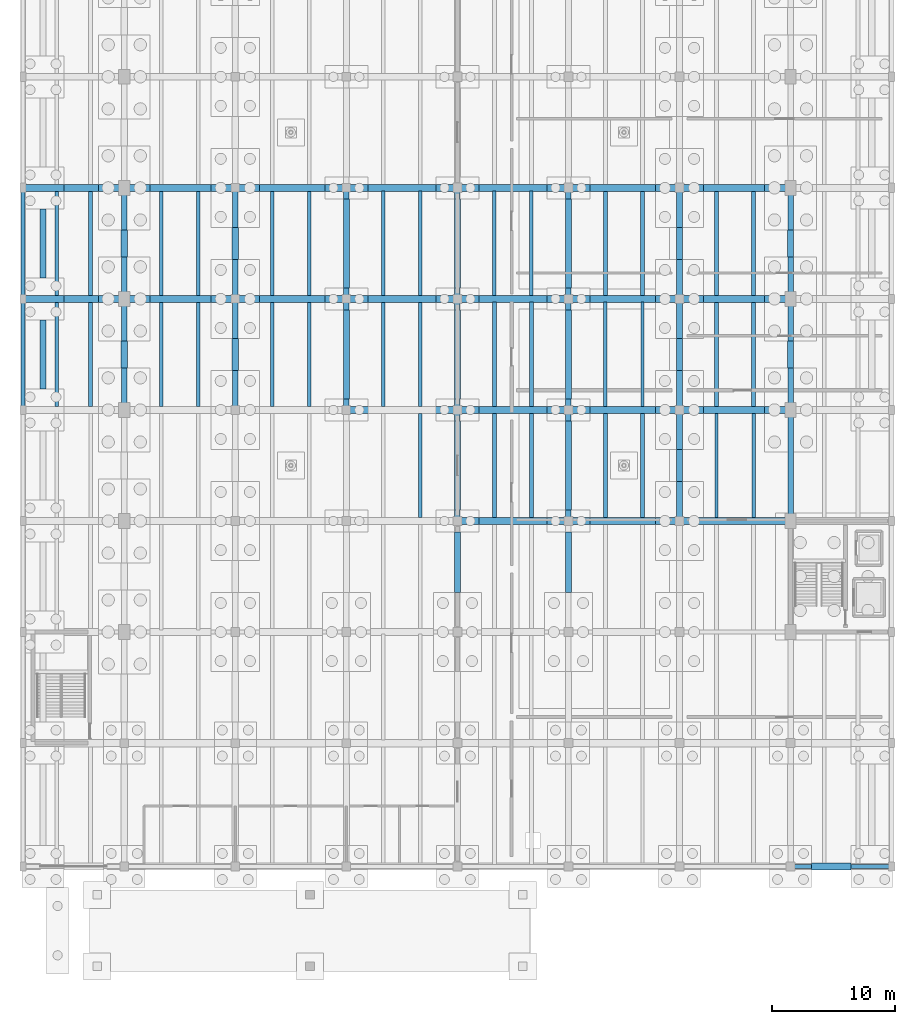
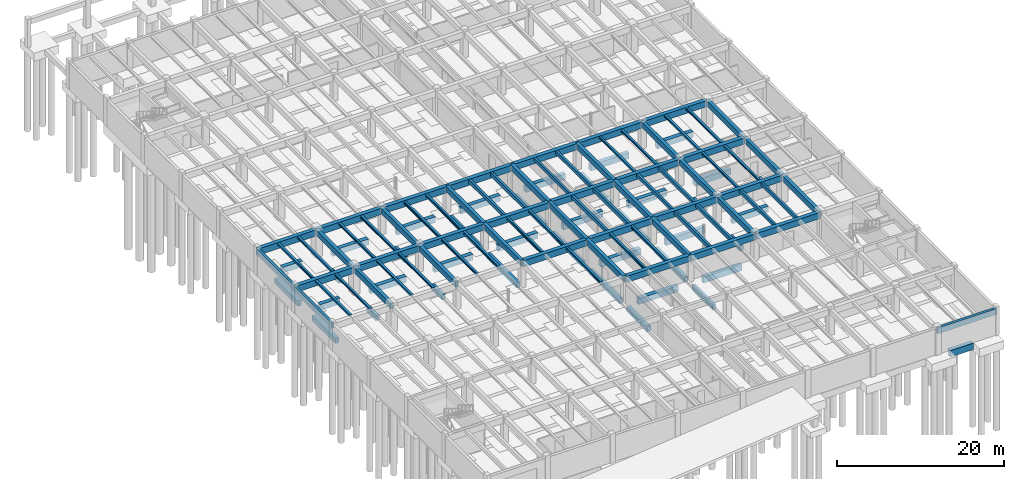
# One storey, part 13 of 23: 118 beams.
"""IFC4 building model written with IfcOpenShell, lengths in metres."""

from ifc_helpers import new_model, si_unit, direction, frame, origin, origin_2d, place, context, subcontext, project, spatial, rectangle, i_section, extrude, material, material_profile, profile_set, type_object, element, save


model = new_model("IFC4")

# Units and contexts
model_context = context("Model", 3, precision=1e-05, world=origin(), true_north=direction((0.0, 1.0)))
body_context = subcontext(model_context, "Body", "Model", "MODEL_VIEW")
ifc_project = project(units=[si_unit("LENGTHUNIT", "METRE"), si_unit("AREAUNIT", "SQUARE_METRE"), si_unit("VOLUMEUNIT", "CUBIC_METRE"), si_unit("PLANEANGLEUNIT", "RADIAN"), si_unit("MASSUNIT", "GRAM", prefix="KILO")], contexts=[model_context])

# Site, building, storey
site_placement = place(None, origin())
site = spatial("IfcSite", under=ifc_project, at=site_placement, CompositionType="ELEMENT")
building_placement = place(site_placement, origin())
building = spatial("IfcBuilding", under=site, at=building_placement, Name="Ornek Quay Market", CompositionType="ELEMENT")
storey_placement = place(building_placement, frame((0.0, 0.0, -4.199951171875)))
storey = spatial("IfcBuildingStorey", under=building, at=storey_placement, Name="B1", CompositionType="ELEMENT", Elevation=-4.199951171875)

# Beams
ifc_material_1 = material(Name="Concrete C35/45", Category="concrete")
ifc_material_profile_1 = material_profile(ifc_material_1, rectangle(XDim=0.449951171875, YDim=0.800048828125, at=origin_2d()), Name="RC 450x800", Category="concrete")
ifc_profile_set_1 = profile_set([ifc_material_profile_1], Name="Concrete C35/45")
beam_type_1 = type_object("IfcBeamType", Name="BM-B1-450x800", PredefinedType="BEAM", material=ifc_profile_set_1)
for number, where, z_axis, x_axis, name in (
    (1, (63.0, 47.0, 3.4599609375), (0.0, 1.0, 0.0), (-1.0, 0.0, 0.0), "Primary beam B-B1B-017"),
    (2, (63.0, 56.0, 3.4599609375), (0.0, 1.0, 0.0), (-1.0, 0.0, 0.0), "Primary beam B-B1B-018"),
    (3, (72.0, 47.0, 3.4599609375), (0.0, 1.0, 0.0), (-1.0, 0.0, 0.0), "Primary beam B-B1B-026"),
    (4, (72.0, 56.0, 3.4599609375), (0.0, 1.0, 0.0), (-1.0, 0.0, 0.0), "Primary beam B-B1B-027"),
    (5, (81.0, 47.0, 3.4599609375), (0.0, 1.0, 0.0), (-1.0, 0.0, 0.0), "Primary beam B-B1B-035"),
    (6, (81.0, 56.0, 3.4599609375), (0.0, 1.0, 0.0), (-1.0, 0.0, 0.0), "Primary beam B-B1B-036"),
    (7, (90.0, 38.0, 3.4599609375), (0.0, 1.0, 0.0), (-1.0, 0.0, 0.0), "Primary beam B-B1B-043"),
    (8, (90.0, 47.0, 3.4599609375), (0.0, 1.0, 0.0), (-1.0, 0.0, 0.0), "Primary beam B-B1B-044"),
    (9, (90.0, 56.0, 3.4599609375), (0.0, 1.0, 0.0), (-1.0, 0.0, 0.0), "Primary beam B-B1B-045"),
    (10, (99.0, 38.0, 3.4599609375), (0.0, 1.0, 0.0), (-1.0, 0.0, 0.0), "Primary beam B-B1B-052"),
    (11, (99.0, 47.0, 3.4599609375), (0.0, 1.0, 0.0), (-1.0, 0.0, 0.0), "Primary beam B-B1B-053"),
    (12, (99.0, 56.0, 3.4599609375), (0.0, 1.0, 0.0), (-1.0, 0.0, 0.0), "Primary beam B-B1B-054"),
    (13, (108.0, 38.0, 3.4599609375), (0.0, 1.0, 0.0), (-1.0, 0.0, 0.0), "Primary beam B-B1B-061"),
    (14, (108.0, 47.0, 3.4599609375), (0.0, 1.0, 0.0), (-1.0, 0.0, 0.0), "Primary beam B-B1B-062"),
    (15, (108.0, 56.0, 3.4599609375), (0.0, 1.0, 0.0), (-1.0, 0.0, 0.0), "Primary beam B-B1B-063"),
    (16, (117.0, 38.0, 3.4599609375), (0.0, 1.0, 0.0), (-1.0, 0.0, 0.0), "Primary beam B-B1B-070"),
    (17, (117.0, 47.0, 3.4599609375), (0.0, 1.0, 0.0), (-1.0, 0.0, 0.0), "Primary beam B-B1B-071"),
    (18, (117.0, 56.0, 3.4599609375), (0.0, 1.0, 0.0), (-1.0, 0.0, 0.0), "Primary beam B-B1B-072"),
):
    element("IfcBeam", number, at=place(storey_placement, frame(where, z_axis=z_axis, x_axis=x_axis)), inside=storey, type_object=beam_type_1, Name=name, PredefinedType="BEAM", context=body_context, shape_type="SweptSolid", body=[
        extrude(rectangle(XDim=0.449951171875, YDim=0.800048828125, at=origin_2d()), origin(), (0.0, 0.0, 1.0), 9.0),
    ])
ifc_material_2 = material(Name="Concrete C40/50", Category="concrete")
ifc_material_profile_2 = material_profile(ifc_material_2, rectangle(XDim=0.550048828125, YDim=0.89990234375, at=origin_2d()), Name="RC 550x900", Category="concrete")
ifc_profile_set_2 = profile_set([ifc_material_profile_2], Name="Concrete C40/50")
beam_type_2 = type_object("IfcBeamType", Name="BM-B1-550x900", PredefinedType="BEAM", material=ifc_profile_set_2)
for number, where, z_axis, x_axis, name in (
    (19, (90.0, 38.0, 3.409912109375), (1.0, 0.0, 0.0), (0.0, 1.0, 0.0), "Primary beam B-B1A-013"),
    (20, (99.0, 38.0, 3.409912109375), (1.0, 0.0, 0.0), (0.0, 1.0, 0.0), "Primary beam B-B1A-014"),
    (21, (108.0, 38.0, 3.409912109375), (1.0, 0.0, 0.0), (0.0, 1.0, 0.0), "Primary beam B-B1A-015"),
    (22, (81.0, 47.0, 3.409912109375), (1.0, 0.0, 0.0), (0.0, 1.0, 0.0), "Primary beam B-B1A-020"),
    (23, (90.0, 47.0, 3.409912109375), (1.0, 0.0, 0.0), (0.0, 1.0, 0.0), "Primary beam B-B1A-021"),
    (24, (99.0, 47.0, 3.409912109375), (1.0, 0.0, 0.0), (0.0, 1.0, 0.0), "Primary beam B-B1A-022"),
    (25, (108.0, 47.0, 3.409912109375), (1.0, 0.0, 0.0), (0.0, 1.0, 0.0), "Primary beam B-B1A-023"),
):
    element("IfcBeam", number, at=place(storey_placement, frame(where, z_axis=z_axis, x_axis=x_axis)), inside=storey, type_object=beam_type_2, Name=name, PredefinedType="BEAM", context=body_context, shape_type="SweptSolid", body=[
        extrude(rectangle(XDim=0.550048828125, YDim=0.89990234375, at=origin_2d()), origin(), (0.0, 0.0, 1.0), 9.0),
    ])
beam_1_placement = place(storey_placement, frame((54.800048828125, 56.0, 3.409912109375), z_axis=(1.0, 0.0, 0.0), x_axis=(0.0, 1.0, 0.0)))
element("IfcBeam", 26, at=beam_1_placement, inside=storey, type_object=beam_type_2, Name="Primary beam B-B1A-025", PredefinedType="BEAM", context=body_context, shape_type="SweptSolid", body=[
    extrude(rectangle(XDim=0.550048828125, YDim=0.89990234375, at=origin_2d()), origin(), (0.0, 0.0, 1.0), 8.199951171875),
])
for number, where, z_axis, x_axis, name in (
    (27, (63.0, 56.0, 3.409912109375), (1.0, 0.0, 0.0), (0.0, 1.0, 0.0), "Primary beam B-B1A-026"),
    (28, (72.0, 56.0, 3.409912109375), (1.0, 0.0, 0.0), (0.0, 1.0, 0.0), "Primary beam B-B1A-027"),
    (29, (81.0, 56.0, 3.409912109375), (1.0, 0.0, 0.0), (0.0, 1.0, 0.0), "Primary beam B-B1A-028"),
    (30, (90.0, 56.0, 3.409912109375), (1.0, 0.0, 0.0), (0.0, 1.0, 0.0), "Primary beam B-B1A-029"),
    (31, (99.0, 56.0, 3.409912109375), (1.0, 0.0, 0.0), (0.0, 1.0, 0.0), "Primary beam B-B1A-030"),
    (32, (108.0, 56.0, 3.409912109375), (1.0, 0.0, 0.0), (0.0, 1.0, 0.0), "Primary beam B-B1A-031"),
):
    element("IfcBeam", number, at=place(storey_placement, frame(where, z_axis=z_axis, x_axis=x_axis)), inside=storey, type_object=beam_type_2, Name=name, PredefinedType="BEAM", context=body_context, shape_type="SweptSolid", body=[
        extrude(rectangle(XDim=0.550048828125, YDim=0.89990234375, at=origin_2d()), origin(), (0.0, 0.0, 1.0), 9.0),
    ])
beam_2_placement = place(storey_placement, frame((54.800048828125, 65.0, 3.409912109375), z_axis=(1.0, 0.0, 0.0), x_axis=(0.0, 1.0, 0.0)))
element("IfcBeam", 33, at=beam_2_placement, inside=storey, type_object=beam_type_2, Name="Primary beam B-B1A-033", PredefinedType="BEAM", context=body_context, shape_type="SweptSolid", body=[
    extrude(rectangle(XDim=0.550048828125, YDim=0.89990234375, at=origin_2d()), origin(), (0.0, 0.0, 1.0), 8.199951171875),
])
for number, where, z_axis, x_axis, name in (
    (34, (63.0, 65.0, 3.409912109375), (1.0, 0.0, 0.0), (0.0, 1.0, 0.0), "Primary beam B-B1A-034"),
    (35, (72.0, 65.0, 3.409912109375), (1.0, 0.0, 0.0), (0.0, 1.0, 0.0), "Primary beam B-B1A-035"),
    (36, (81.0, 65.0, 3.409912109375), (1.0, 0.0, 0.0), (0.0, 1.0, 0.0), "Primary beam B-B1A-036"),
    (37, (90.0, 65.0, 3.409912109375), (1.0, 0.0, 0.0), (0.0, 1.0, 0.0), "Primary beam B-B1A-037"),
    (38, (99.0, 65.0, 3.409912109375), (1.0, 0.0, 0.0), (0.0, 1.0, 0.0), "Primary beam B-B1A-038"),
    (39, (108.0, 65.0, 3.409912109375), (1.0, 0.0, 0.0), (0.0, 1.0, 0.0), "Primary beam B-B1A-039"),
):
    element("IfcBeam", number, at=place(storey_placement, frame(where, z_axis=z_axis, x_axis=x_axis)), inside=storey, type_object=beam_type_2, Name=name, PredefinedType="BEAM", context=body_context, shape_type="SweptSolid", body=[
        extrude(rectangle(XDim=0.550048828125, YDim=0.89990234375, at=origin_2d()), origin(), (0.0, 0.0, 1.0), 9.0),
    ])
ifc_material_profile_3 = material_profile(ifc_material_1, rectangle(XDim=0.5, YDim=0.75, at=origin_2d()), Name="RC 500x750", Category="concrete")
ifc_profile_set_3 = profile_set([ifc_material_profile_3], Name="Concrete C35/45")
beam_type_3 = type_object("IfcBeamType", Name="BM-GB-500x750", PredefinedType="BEAM", material=ifc_profile_set_3)
for number, where, z_axis, x_axis, name in (
    (40, (56.419921875, 48.699951171875, -0.375), (0.0, 1.0, 0.0), (-1.0, 0.0, 0.0), "Ground tie beam GB-214"),
    (41, (56.419921875, 57.699951171875, -0.375), (0.0, 1.0, 0.0), (-1.0, 0.0, 0.0), "Ground tie beam GB-215"),
):
    element("IfcBeam", number, at=place(storey_placement, frame(where, z_axis=z_axis, x_axis=x_axis)), inside=storey, type_object=beam_type_3, Name=name, PredefinedType="BEAM", context=body_context, shape_type="SweptSolid", body=[
        extrude(rectangle(XDim=0.5, YDim=0.75, at=origin_2d()), origin(), (0.0, 0.0, 1.0), 5.60009765625),
    ])
for number, where, z_axis, x_axis, name in (
    (42, (63.0, 50.39990234375, -0.375), (0.0, 1.0, 0.0), (-1.0, 0.0, 0.0), "Ground tie beam GB-223"),
    (43, (63.0, 59.39990234375, -0.375), (0.0, 1.0, 0.0), (-1.0, 0.0, 0.0), "Ground tie beam GB-224"),
):
    element("IfcBeam", number, at=place(storey_placement, frame(where, z_axis=z_axis, x_axis=x_axis)), inside=storey, type_object=beam_type_3, Name=name, PredefinedType="BEAM", context=body_context, shape_type="SweptSolid", body=[
        extrude(rectangle(XDim=0.5, YDim=0.75, at=origin_2d()), origin(), (0.0, 0.0, 1.0), 2.2001953125),
    ])
for number, where, z_axis, x_axis, name in (
    (44, (72.0, 50.199951171875, -0.375), (0.0, 1.0, 0.0), (-1.0, 0.0, 0.0), "Ground tie beam GB-232"),
    (45, (72.0, 59.199951171875, -0.375), (0.0, 1.0, 0.0), (-1.0, 0.0, 0.0), "Ground tie beam GB-233"),
):
    element("IfcBeam", number, at=place(storey_placement, frame(where, z_axis=z_axis, x_axis=x_axis)), inside=storey, type_object=beam_type_3, Name=name, PredefinedType="BEAM", context=body_context, shape_type="SweptSolid", body=[
        extrude(rectangle(XDim=0.5, YDim=0.75, at=origin_2d()), origin(), (0.0, 0.0, 1.0), 2.60009765625),
    ])
for number, where, z_axis, x_axis, name in (
    (46, (81.0, 47.89990234375, -0.375), (0.0, 1.0, 0.0), (-1.0, 0.0, 0.0), "Ground tie beam GB-244"),
    (47, (81.0, 56.89990234375, -0.375), (0.0, 1.0, 0.0), (-1.0, 0.0, 0.0), "Ground tie beam GB-245"),
):
    element("IfcBeam", number, at=place(storey_placement, frame(where, z_axis=z_axis, x_axis=x_axis)), inside=storey, type_object=beam_type_3, Name=name, PredefinedType="BEAM", context=body_context, shape_type="SweptSolid", body=[
        extrude(rectangle(XDim=0.5, YDim=0.75, at=origin_2d()), origin(), (0.0, 0.0, 1.0), 7.2001953125),
    ])
beam_3_placement = place(storey_placement, frame((90.0, 32.199951171875, -0.375), z_axis=(0.0, 1.0, 0.0), x_axis=(-1.0, 0.0, 0.0)))
element("IfcBeam", 48, at=beam_3_placement, inside=storey, type_object=beam_type_3, Name="Ground tie beam GB-254", PredefinedType="BEAM", context=body_context, shape_type="SweptSolid", body=[
    extrude(rectangle(XDim=0.5, YDim=0.75, at=origin_2d()), origin(), (0.0, 0.0, 1.0), 4.900146484375),
])
for number, where, z_axis, x_axis, name in (
    (49, (90.0, 38.89990234375, -0.375), (0.0, 1.0, 0.0), (-1.0, 0.0, 0.0), "Ground tie beam GB-255"),
    (50, (90.0, 47.89990234375, -0.375), (0.0, 1.0, 0.0), (-1.0, 0.0, 0.0), "Ground tie beam GB-256"),
    (51, (90.0, 56.89990234375, -0.375), (0.0, 1.0, 0.0), (-1.0, 0.0, 0.0), "Ground tie beam GB-257"),
):
    element("IfcBeam", number, at=place(storey_placement, frame(where, z_axis=z_axis, x_axis=x_axis)), inside=storey, type_object=beam_type_3, Name=name, PredefinedType="BEAM", context=body_context, shape_type="SweptSolid", body=[
        extrude(rectangle(XDim=0.5, YDim=0.75, at=origin_2d()), origin(), (0.0, 0.0, 1.0), 7.2001953125),
    ])
beam_4_placement = place(storey_placement, frame((99.0, 32.199951171875, -0.375), z_axis=(0.0, 1.0, 0.0), x_axis=(-1.0, 0.0, 0.0)))
element("IfcBeam", 52, at=beam_4_placement, inside=storey, type_object=beam_type_3, Name="Ground tie beam GB-266", PredefinedType="BEAM", context=body_context, shape_type="SweptSolid", body=[
    extrude(rectangle(XDim=0.5, YDim=0.75, at=origin_2d()), origin(), (0.0, 0.0, 1.0), 4.900146484375),
])
for number, where, z_axis, x_axis, name in (
    (53, (99.0, 38.89990234375, -0.375), (0.0, 1.0, 0.0), (-1.0, 0.0, 0.0), "Ground tie beam GB-267"),
    (54, (99.0, 47.89990234375, -0.375), (0.0, 1.0, 0.0), (-1.0, 0.0, 0.0), "Ground tie beam GB-268"),
    (55, (99.0, 56.89990234375, -0.375), (0.0, 1.0, 0.0), (-1.0, 0.0, 0.0), "Ground tie beam GB-269"),
):
    element("IfcBeam", number, at=place(storey_placement, frame(where, z_axis=z_axis, x_axis=x_axis)), inside=storey, type_object=beam_type_3, Name=name, PredefinedType="BEAM", context=body_context, shape_type="SweptSolid", body=[
        extrude(rectangle(XDim=0.5, YDim=0.75, at=origin_2d()), origin(), (0.0, 0.0, 1.0), 7.2001953125),
    ])
for number, where, z_axis, x_axis, name in (
    (56, (108.0, 41.199951171875, -0.375), (0.0, 1.0, 0.0), (-1.0, 0.0, 0.0), "Ground tie beam GB-279"),
    (57, (108.0, 50.199951171875, -0.375), (0.0, 1.0, 0.0), (-1.0, 0.0, 0.0), "Ground tie beam GB-280"),
    (58, (108.0, 59.199951171875, -0.375), (0.0, 1.0, 0.0), (-1.0, 0.0, 0.0), "Ground tie beam GB-281"),
):
    element("IfcBeam", number, at=place(storey_placement, frame(where, z_axis=z_axis, x_axis=x_axis)), inside=storey, type_object=beam_type_3, Name=name, PredefinedType="BEAM", context=body_context, shape_type="SweptSolid", body=[
        extrude(rectangle(XDim=0.5, YDim=0.75, at=origin_2d()), origin(), (0.0, 0.0, 1.0), 2.60009765625),
    ])
for number, where, z_axis, x_axis, name in (
    (59, (117.0, 50.39990234375, -0.375), (0.0, 1.0, 0.0), (-1.0, 0.0, 0.0), "Ground tie beam GB-289"),
    (60, (117.0, 59.39990234375, -0.375), (0.0, 1.0, 0.0), (-1.0, 0.0, 0.0), "Ground tie beam GB-290"),
):
    element("IfcBeam", number, at=place(storey_placement, frame(where, z_axis=z_axis, x_axis=x_axis)), inside=storey, type_object=beam_type_3, Name=name, PredefinedType="BEAM", context=body_context, shape_type="SweptSolid", body=[
        extrude(rectangle(XDim=0.5, YDim=0.75, at=origin_2d()), origin(), (0.0, 0.0, 1.0), 2.2001953125),
    ])
ifc_material_profile_4 = material_profile(ifc_material_1, rectangle(XDim=0.550048828125, YDim=0.85009765625, at=origin_2d()), Name="RC 550x850", Category="concrete")
ifc_profile_set_4 = profile_set([ifc_material_profile_4], Name="Concrete C35/45")
beam_type_4 = type_object("IfcBeamType", Name="BM-GB-550x850", PredefinedType="BEAM", material=ifc_profile_set_4)
beam_5_placement = place(storey_placement, frame((91.75, 38.0, -0.425048828125), z_axis=(1.0, 0.0, 0.0), x_axis=(0.0, 1.0, 0.0)))
element("IfcBeam", 61, at=beam_5_placement, inside=storey, type_object=beam_type_4, Name="Ground tie beam GB-140", PredefinedType="BEAM", context=body_context, shape_type="SweptSolid", body=[
    extrude(rectangle(XDim=0.550048828125, YDim=0.85009765625, at=origin_2d()), origin(), (0.0, 0.0, 1.0), 5.5),
])
beam_6_placement = place(storey_placement, frame((100.75, 38.0, -0.425048828125), z_axis=(1.0, 0.0, 0.0), x_axis=(0.0, 1.0, 0.0)))
element("IfcBeam", 62, at=beam_6_placement, inside=storey, type_object=beam_type_4, Name="Ground tie beam GB-141", PredefinedType="BEAM", context=body_context, shape_type="SweptSolid", body=[
    extrude(rectangle(XDim=0.550048828125, YDim=0.85009765625, at=origin_2d()), origin(), (0.0, 0.0, 1.0), 5.300048828125),
])
beam_7_placement = place(storey_placement, frame((91.75, 47.0, -0.425048828125), z_axis=(1.0, 0.0, 0.0), x_axis=(0.0, 1.0, 0.0)))
element("IfcBeam", 63, at=beam_7_placement, inside=storey, type_object=beam_type_4, Name="Ground tie beam GB-146", PredefinedType="BEAM", context=body_context, shape_type="SweptSolid", body=[
    extrude(rectangle(XDim=0.550048828125, YDim=0.85009765625, at=origin_2d()), origin(), (0.0, 0.0, 1.0), 5.5),
])
beam_8_placement = place(storey_placement, frame((100.75, 47.0, -0.425048828125), z_axis=(1.0, 0.0, 0.0), x_axis=(0.0, 1.0, 0.0)))
element("IfcBeam", 64, at=beam_8_placement, inside=storey, type_object=beam_type_4, Name="Ground tie beam GB-147", PredefinedType="BEAM", context=body_context, shape_type="SweptSolid", body=[
    extrude(rectangle(XDim=0.550048828125, YDim=0.85009765625, at=origin_2d()), origin(), (0.0, 0.0, 1.0), 5.300048828125),
])
beam_9_placement = place(storey_placement, frame((109.949951171875, 47.0, -0.425048828125), z_axis=(1.0, 0.0, 0.0), x_axis=(0.0, 1.0, 0.0)))
element("IfcBeam", 65, at=beam_9_placement, inside=storey, type_object=beam_type_4, Name="Ground tie beam GB-148", PredefinedType="BEAM", context=body_context, shape_type="SweptSolid", body=[
    extrude(rectangle(XDim=0.550048828125, YDim=0.85009765625, at=origin_2d()), origin(), (0.0, 0.0, 1.0), 4.949951171875),
])
beam_10_placement = place(storey_placement, frame((58.1201171875, 56.0, -0.425048828125), z_axis=(1.0, 0.0, 0.0), x_axis=(0.0, 1.0, 0.0)))
element("IfcBeam", 66, at=beam_10_placement, inside=storey, type_object=beam_type_4, Name="Ground tie beam GB-150", PredefinedType="BEAM", context=body_context, shape_type="SweptSolid", body=[
    extrude(rectangle(XDim=0.550048828125, YDim=0.85009765625, at=origin_2d()), origin(), (0.0, 0.0, 1.0), 2.77978515625),
])
beam_11_placement = place(storey_placement, frame((65.10009765625, 56.0, -0.425048828125), z_axis=(1.0, 0.0, 0.0), x_axis=(0.0, 1.0, 0.0)))
element("IfcBeam", 67, at=beam_11_placement, inside=storey, type_object=beam_type_4, Name="Ground tie beam GB-151", PredefinedType="BEAM", context=body_context, shape_type="SweptSolid", body=[
    extrude(rectangle(XDim=0.550048828125, YDim=0.85009765625, at=origin_2d()), origin(), (0.0, 0.0, 1.0), 4.949951171875),
])
beam_12_placement = place(storey_placement, frame((73.949951171875, 56.0, -0.425048828125), z_axis=(1.0, 0.0, 0.0), x_axis=(0.0, 1.0, 0.0)))
element("IfcBeam", 68, at=beam_12_placement, inside=storey, type_object=beam_type_4, Name="Ground tie beam GB-152", PredefinedType="BEAM", context=body_context, shape_type="SweptSolid", body=[
    extrude(rectangle(XDim=0.550048828125, YDim=0.85009765625, at=origin_2d()), origin(), (0.0, 0.0, 1.0), 5.300048828125),
])
for number, where, z_axis, x_axis, name in (
    (69, (82.75, 56.0, -0.425048828125), (1.0, 0.0, 0.0), (0.0, 1.0, 0.0), "Ground tie beam GB-153"),
    (70, (91.75, 56.0, -0.425048828125), (1.0, 0.0, 0.0), (0.0, 1.0, 0.0), "Ground tie beam GB-154"),
):
    element("IfcBeam", number, at=place(storey_placement, frame(where, z_axis=z_axis, x_axis=x_axis)), inside=storey, type_object=beam_type_4, Name=name, PredefinedType="BEAM", context=body_context, shape_type="SweptSolid", body=[
        extrude(rectangle(XDim=0.550048828125, YDim=0.85009765625, at=origin_2d()), origin(), (0.0, 0.0, 1.0), 5.5),
    ])
beam_13_placement = place(storey_placement, frame((100.75, 56.0, -0.425048828125), z_axis=(1.0, 0.0, 0.0), x_axis=(0.0, 1.0, 0.0)))
element("IfcBeam", 71, at=beam_13_placement, inside=storey, type_object=beam_type_4, Name="Ground tie beam GB-155", PredefinedType="BEAM", context=body_context, shape_type="SweptSolid", body=[
    extrude(rectangle(XDim=0.550048828125, YDim=0.85009765625, at=origin_2d()), origin(), (0.0, 0.0, 1.0), 5.300048828125),
])
beam_14_placement = place(storey_placement, frame((109.949951171875, 56.0, -0.425048828125), z_axis=(1.0, 0.0, 0.0), x_axis=(0.0, 1.0, 0.0)))
element("IfcBeam", 72, at=beam_14_placement, inside=storey, type_object=beam_type_4, Name="Ground tie beam GB-156", PredefinedType="BEAM", context=body_context, shape_type="SweptSolid", body=[
    extrude(rectangle(XDim=0.550048828125, YDim=0.85009765625, at=origin_2d()), origin(), (0.0, 0.0, 1.0), 4.949951171875),
])
beam_15_placement = place(storey_placement, frame((58.1201171875, 65.0, -0.425048828125), z_axis=(1.0, 0.0, 0.0), x_axis=(0.0, 1.0, 0.0)))
element("IfcBeam", 73, at=beam_15_placement, inside=storey, type_object=beam_type_4, Name="Ground tie beam GB-158", PredefinedType="BEAM", context=body_context, shape_type="SweptSolid", body=[
    extrude(rectangle(XDim=0.550048828125, YDim=0.85009765625, at=origin_2d()), origin(), (0.0, 0.0, 1.0), 2.77978515625),
])
beam_16_placement = place(storey_placement, frame((65.10009765625, 65.0, -0.425048828125), z_axis=(1.0, 0.0, 0.0), x_axis=(0.0, 1.0, 0.0)))
element("IfcBeam", 74, at=beam_16_placement, inside=storey, type_object=beam_type_4, Name="Ground tie beam GB-159", PredefinedType="BEAM", context=body_context, shape_type="SweptSolid", body=[
    extrude(rectangle(XDim=0.550048828125, YDim=0.85009765625, at=origin_2d()), origin(), (0.0, 0.0, 1.0), 4.949951171875),
])
beam_17_placement = place(storey_placement, frame((73.949951171875, 65.0, -0.425048828125), z_axis=(1.0, 0.0, 0.0), x_axis=(0.0, 1.0, 0.0)))
element("IfcBeam", 75, at=beam_17_placement, inside=storey, type_object=beam_type_4, Name="Ground tie beam GB-160", PredefinedType="BEAM", context=body_context, shape_type="SweptSolid", body=[
    extrude(rectangle(XDim=0.550048828125, YDim=0.85009765625, at=origin_2d()), origin(), (0.0, 0.0, 1.0), 5.300048828125),
])
for number, where, z_axis, x_axis, name in (
    (76, (82.75, 65.0, -0.425048828125), (1.0, 0.0, 0.0), (0.0, 1.0, 0.0), "Ground tie beam GB-161"),
    (77, (91.75, 65.0, -0.425048828125), (1.0, 0.0, 0.0), (0.0, 1.0, 0.0), "Ground tie beam GB-162"),
):
    element("IfcBeam", number, at=place(storey_placement, frame(where, z_axis=z_axis, x_axis=x_axis)), inside=storey, type_object=beam_type_4, Name=name, PredefinedType="BEAM", context=body_context, shape_type="SweptSolid", body=[
        extrude(rectangle(XDim=0.550048828125, YDim=0.85009765625, at=origin_2d()), origin(), (0.0, 0.0, 1.0), 5.5),
    ])
beam_18_placement = place(storey_placement, frame((100.75, 65.0, -0.425048828125), z_axis=(1.0, 0.0, 0.0), x_axis=(0.0, 1.0, 0.0)))
element("IfcBeam", 78, at=beam_18_placement, inside=storey, type_object=beam_type_4, Name="Ground tie beam GB-163", PredefinedType="BEAM", context=body_context, shape_type="SweptSolid", body=[
    extrude(rectangle(XDim=0.550048828125, YDim=0.85009765625, at=origin_2d()), origin(), (0.0, 0.0, 1.0), 5.300048828125),
])
beam_19_placement = place(storey_placement, frame((109.949951171875, 65.0, -0.425048828125), z_axis=(1.0, 0.0, 0.0), x_axis=(0.0, 1.0, 0.0)))
element("IfcBeam", 79, at=beam_19_placement, inside=storey, type_object=beam_type_4, Name="Ground tie beam GB-164", PredefinedType="BEAM", context=body_context, shape_type="SweptSolid", body=[
    extrude(rectangle(XDim=0.550048828125, YDim=0.85009765625, at=origin_2d()), origin(), (0.0, 0.0, 1.0), 4.949951171875),
])
ifc_material_profile_5 = material_profile(ifc_material_1, rectangle(XDim=0.60009765625, YDim=0.949951171875, at=origin_2d()), Name="RC 600x950", Category="concrete")
ifc_profile_set_5 = profile_set([ifc_material_profile_5], Name="Concrete C35/45")
beam_type_5 = type_object("IfcBeamType", Name="BM-GB-600x950", PredefinedType="BEAM", material=ifc_profile_set_5)
beam_20_placement = place(storey_placement, frame((118.699951171875, 10.0, -0.47509765625), z_axis=(1.0, 0.0, 0.0), x_axis=(0.0, 1.0, 0.0)))
element("IfcBeam", 80, at=beam_20_placement, inside=storey, type_object=beam_type_5, Name="Ground tie beam GB-121", PredefinedType="BEAM", context=body_context, shape_type="SweptSolid", body=[
    extrude(rectangle(XDim=0.60009765625, YDim=0.949951171875, at=origin_2d()), origin(), (0.0, 0.0, 1.0), 3.179931640625),
])
ifc_material_profile_6 = material_profile(ifc_material_1, rectangle(XDim=0.280029296875, YDim=0.5, at=origin_2d()), Name="RC 280x500", Category="concrete")
ifc_profile_set_6 = profile_set([ifc_material_profile_6], Name="Concrete C35/45")
beam_type_6 = type_object("IfcBeamType", Name="BM-SEC-280x500", PredefinedType="JOIST", material=ifc_profile_set_6)
for number, where, z_axis, x_axis, name in (
    (81, (93.0, 56.26708984375, 3.60986328125), (0.0, 1.0, 0.0), (-1.0, 0.0, 0.0), "Secondary joist B-SC2-011"),
    (82, (96.0, 56.26708984375, 3.60986328125), (0.0, 1.0, 0.0), (-1.0, 0.0, 0.0), "Secondary joist B-SC2-012"),
    (83, (102.0, 47.26708984375, 3.60986328125), (0.0, 1.0, 0.0), (-1.0, 0.0, 0.0), "Secondary joist B-SC2-013"),
    (84, (105.0, 47.26708984375, 3.60986328125), (0.0, 1.0, 0.0), (-1.0, 0.0, 0.0), "Secondary joist B-SC2-014"),
    (85, (111.0, 38.26708984375, 3.60986328125), (0.0, 1.0, 0.0), (-1.0, 0.0, 0.0), "Secondary joist B-SC2-017"),
    (86, (114.0, 38.26708984375, 3.60986328125), (0.0, 1.0, 0.0), (-1.0, 0.0, 0.0), "Secondary joist B-SC2-018"),
):
    element("IfcBeam", number, at=place(storey_placement, frame(where, z_axis=z_axis, x_axis=x_axis)), inside=storey, type_object=beam_type_6, Name=name, PredefinedType="JOIST", context=body_context, shape_type="SweptSolid", body=[
        extrude(rectangle(XDim=0.280029296875, YDim=0.5, at=origin_2d()), origin(), (0.0, 0.0, 1.0), 8.4658203125),
    ])
ifc_material_profile_7 = material_profile(ifc_material_1, rectangle(XDim=0.300048828125, YDim=0.550048828125, at=origin_2d()), Name="RC 300x550", Category="concrete")
ifc_profile_set_7 = profile_set([ifc_material_profile_7], Name="Concrete C35/45")
beam_type_7 = type_object("IfcBeamType", Name="BM-SEC-300x550", PredefinedType="JOIST", material=ifc_profile_set_7)
for number, where, z_axis, x_axis, name in (
    (87, (84.0, 56.26708984375, 3.5849609375), (0.0, 1.0, 0.0), (-1.0, 0.0, 0.0), "Secondary joist B-SC1-017"),
    (88, (87.0, 56.26708984375, 3.5849609375), (0.0, 1.0, 0.0), (-1.0, 0.0, 0.0), "Secondary joist B-SC1-018"),
    (89, (93.0, 47.26708984375, 3.5849609375), (0.0, 1.0, 0.0), (-1.0, 0.0, 0.0), "Secondary joist B-SC1-019"),
    (90, (96.0, 47.26708984375, 3.5849609375), (0.0, 1.0, 0.0), (-1.0, 0.0, 0.0), "Secondary joist B-SC1-020"),
    (91, (102.0, 38.26708984375, 3.5849609375), (0.0, 1.0, 0.0), (-1.0, 0.0, 0.0), "Secondary joist B-SC1-023"),
    (92, (105.0, 38.26708984375, 3.5849609375), (0.0, 1.0, 0.0), (-1.0, 0.0, 0.0), "Secondary joist B-SC1-024"),
):
    element("IfcBeam", number, at=place(storey_placement, frame(where, z_axis=z_axis, x_axis=x_axis)), inside=storey, type_object=beam_type_7, Name=name, PredefinedType="JOIST", context=body_context, shape_type="SweptSolid", body=[
        extrude(rectangle(XDim=0.300048828125, YDim=0.550048828125, at=origin_2d()), origin(), (0.0, 0.0, 1.0), 8.4658203125),
    ])
ifc_material_profile_8 = material_profile(ifc_material_2, rectangle(XDim=0.35009765625, YDim=0.85009765625, at=origin_2d()), Name="RC 350x850", Category="concrete")
ifc_profile_set_8 = profile_set([ifc_material_profile_8], Name="Concrete C40/50")
beam_type_8 = type_object("IfcBeamType", Name="BM-SPN-350x850", PredefinedType="SPANDREL", material=ifc_profile_set_8)
beam_21_placement = place(storey_placement, frame((117.0, 10.0, 3.39501953125), z_axis=(1.0, 0.0, 0.0), x_axis=(0.0, 1.0, 0.0)))
element("IfcBeam", 93, at=beam_21_placement, inside=storey, type_object=beam_type_8, Name="Primary beam B-SP1-008", PredefinedType="SPANDREL", context=body_context, shape_type="SweptSolid", body=[
    extrude(rectangle(XDim=0.35009765625, YDim=0.85009765625, at=origin_2d()), origin(), (0.0, 0.0, 1.0), 8.199951171875),
])
for number, where, z_axis, x_axis, name in (
    (94, (54.800048828125, 47.0, 3.43505859375), (0.0, 1.0, 0.0), (-1.0, 0.0, 0.0), "Primary beam B-SP1-031"),
    (95, (54.800048828125, 56.0, 3.43505859375), (0.0, 1.0, 0.0), (-1.0, 0.0, 0.0), "Primary beam B-SP1-032"),
):
    element("IfcBeam", number, at=place(storey_placement, frame(where, z_axis=z_axis, x_axis=x_axis)), inside=storey, type_object=beam_type_8, Name=name, PredefinedType="SPANDREL", context=body_context, shape_type="SweptSolid", body=[
        extrude(rectangle(XDim=0.35009765625, YDim=0.85009765625, at=origin_2d()), origin(), (0.0, 0.0, 1.0), 9.0),
    ])
ifc_material_3 = material(Name="Steel S355", Category="steel")
ifc_material_profile_9 = material_profile(ifc_material_3, i_section(OverallWidth=0.300048828125, OverallDepth=0.2900390625, WebThickness=0.008544921875, FlangeThickness=0.013916015625, FilletRadius=0.027099609375, at=origin_2d()), Name="HEA 300", Category="steel")
ifc_profile_set_9 = profile_set([ifc_material_profile_9], Name="Steel S355")
beam_type_9 = type_object("IfcBeamType", Name="BM-STL-HEA300", PredefinedType="BEAM", material=ifc_profile_set_9)
for number, where, z_axis, x_axis, name in (
    (96, (57.533203125, 47.26708984375, 3.71484375), (0.0, 1.0, 0.0), (-1.0, 0.0, 0.0), "Secondary joist SB-17-001"),
    (97, (60.2666015625, 47.26708984375, 3.71484375), (0.0, 1.0, 0.0), (-1.0, 0.0, 0.0), "Secondary joist SB-17-002"),
    (98, (102.0, 56.26708984375, 3.71484375), (0.0, 1.0, 0.0), (-1.0, 0.0, 0.0), "Secondary joist SB-17-017"),
    (99, (105.0, 56.26708984375, 3.71484375), (0.0, 1.0, 0.0), (-1.0, 0.0, 0.0), "Secondary joist SB-17-018"),
    (100, (111.0, 47.26708984375, 3.71484375), (0.0, 1.0, 0.0), (-1.0, 0.0, 0.0), "Secondary joist SB-17-019"),
    (101, (114.0, 47.26708984375, 3.71484375), (0.0, 1.0, 0.0), (-1.0, 0.0, 0.0), "Secondary joist SB-17-020"),
):
    element("IfcBeam", number, at=place(storey_placement, frame(where, z_axis=z_axis, x_axis=x_axis)), inside=storey, type_object=beam_type_9, Name=name, PredefinedType="BEAM", context=body_context, shape_type="SweptSolid", body=[
        extrude(i_section(OverallWidth=0.300048828125, OverallDepth=0.2900390625, WebThickness=0.008544921875, FlangeThickness=0.013916015625, FilletRadius=0.027099609375, at=origin_2d()), origin(), (0.0, 0.0, 1.0), 8.4658203125),
    ])
ifc_material_profile_10 = material_profile(ifc_material_3, i_section(OverallWidth=0.300048828125, OverallDepth=0.31005859375, WebThickness=0.009033203125, FlangeThickness=0.015380859375, FilletRadius=0.027099609375, at=origin_2d()), Name="HEA 320", Category="steel")
ifc_profile_set_10 = profile_set([ifc_material_profile_10], Name="Steel S355")
beam_type_10 = type_object("IfcBeamType", Name="BM-STL-HEA320", PredefinedType="BEAM", material=ifc_profile_set_10)
for number, where, z_axis, x_axis, name in (
    (102, (57.533203125, 56.26708984375, 3.704833984375), (0.0, 1.0, 0.0), (-1.0, 0.0, 0.0), "Secondary joist SB-18-001"),
    (103, (60.2666015625, 56.26708984375, 3.704833984375), (0.0, 1.0, 0.0), (-1.0, 0.0, 0.0), "Secondary joist SB-18-002"),
    (104, (66.0, 47.26708984375, 3.704833984375), (0.0, 1.0, 0.0), (-1.0, 0.0, 0.0), "Secondary joist SB-18-003"),
    (105, (69.0, 47.26708984375, 3.704833984375), (0.0, 1.0, 0.0), (-1.0, 0.0, 0.0), "Secondary joist SB-18-004"),
    (106, (111.0, 56.26708984375, 3.704833984375), (0.0, 1.0, 0.0), (-1.0, 0.0, 0.0), "Secondary joist SB-18-019"),
    (107, (114.0, 56.26708984375, 3.704833984375), (0.0, 1.0, 0.0), (-1.0, 0.0, 0.0), "Secondary joist SB-18-020"),
):
    element("IfcBeam", number, at=place(storey_placement, frame(where, z_axis=z_axis, x_axis=x_axis)), inside=storey, type_object=beam_type_10, Name=name, PredefinedType="BEAM", context=body_context, shape_type="SweptSolid", body=[
        extrude(i_section(OverallWidth=0.300048828125, OverallDepth=0.31005859375, WebThickness=0.009033203125, FlangeThickness=0.015380859375, FilletRadius=0.027099609375, at=origin_2d()), origin(), (0.0, 0.0, 1.0), 8.4658203125),
    ])
ifc_material_profile_11 = material_profile(ifc_material_3, i_section(OverallWidth=0.300048828125, OverallDepth=0.35009765625, WebThickness=0.010009765625, FlangeThickness=0.017578125, FilletRadius=0.027099609375, at=origin_2d()), Name="HEA 360", Category="steel")
ifc_profile_set_11 = profile_set([ifc_material_profile_11], Name="Steel S355")
beam_type_11 = type_object("IfcBeamType", Name="BM-STL-HEA360", PredefinedType="BEAM", material=ifc_profile_set_11)
for number, where, z_axis, x_axis, name in (
    (108, (66.0, 56.26708984375, 3.68505859375), (0.0, 1.0, 0.0), (-1.0, 0.0, 0.0), "Secondary joist SB-19-003"),
    (109, (69.0, 56.26708984375, 3.68505859375), (0.0, 1.0, 0.0), (-1.0, 0.0, 0.0), "Secondary joist SB-19-004"),
    (110, (75.0, 47.26708984375, 3.68505859375), (0.0, 1.0, 0.0), (-1.0, 0.0, 0.0), "Secondary joist SB-19-005"),
    (111, (78.0, 47.26708984375, 3.68505859375), (0.0, 1.0, 0.0), (-1.0, 0.0, 0.0), "Secondary joist SB-19-006"),
    (112, (87.0, 38.26708984375, 3.68505859375), (0.0, 1.0, 0.0), (-1.0, 0.0, 0.0), "Secondary joist SB-19-010"),
):
    element("IfcBeam", number, at=place(storey_placement, frame(where, z_axis=z_axis, x_axis=x_axis)), inside=storey, type_object=beam_type_11, Name=name, PredefinedType="BEAM", context=body_context, shape_type="SweptSolid", body=[
        extrude(i_section(OverallWidth=0.300048828125, OverallDepth=0.35009765625, WebThickness=0.010009765625, FlangeThickness=0.017578125, FilletRadius=0.027099609375, at=origin_2d()), origin(), (0.0, 0.0, 1.0), 8.4658203125),
    ])
ifc_material_profile_12 = material_profile(ifc_material_3, i_section(OverallWidth=0.300048828125, OverallDepth=0.389892578125, WebThickness=0.010986328125, FlangeThickness=0.01904296875, FilletRadius=0.027099609375, at=origin_2d()), Name="HEA 400", Category="steel")
ifc_profile_set_12 = profile_set([ifc_material_profile_12], Name="Steel S355")
beam_type_12 = type_object("IfcBeamType", Name="BM-STL-HEA400", PredefinedType="BEAM", material=ifc_profile_set_12)
for number, where, z_axis, x_axis, name in (
    (113, (75.0, 56.26708984375, 3.6650390625), (0.0, 1.0, 0.0), (-1.0, 0.0, 0.0), "Secondary joist SB-20-005"),
    (114, (78.0, 56.26708984375, 3.6650390625), (0.0, 1.0, 0.0), (-1.0, 0.0, 0.0), "Secondary joist SB-20-006"),
    (115, (84.0, 47.26708984375, 3.6650390625), (0.0, 1.0, 0.0), (-1.0, 0.0, 0.0), "Secondary joist SB-20-007"),
    (116, (87.0, 47.26708984375, 3.6650390625), (0.0, 1.0, 0.0), (-1.0, 0.0, 0.0), "Secondary joist SB-20-008"),
    (117, (93.0, 38.26708984375, 3.6650390625), (0.0, 1.0, 0.0), (-1.0, 0.0, 0.0), "Secondary joist SB-20-011"),
    (118, (96.0, 38.26708984375, 3.6650390625), (0.0, 1.0, 0.0), (-1.0, 0.0, 0.0), "Secondary joist SB-20-012"),
):
    element("IfcBeam", number, at=place(storey_placement, frame(where, z_axis=z_axis, x_axis=x_axis)), inside=storey, type_object=beam_type_12, Name=name, PredefinedType="BEAM", context=body_context, shape_type="SweptSolid", body=[
        extrude(i_section(OverallWidth=0.300048828125, OverallDepth=0.389892578125, WebThickness=0.010986328125, FlangeThickness=0.01904296875, FilletRadius=0.027099609375, at=origin_2d()), origin(), (0.0, 0.0, 1.0), 8.4658203125),
    ])

save(model, "model.ifc")
